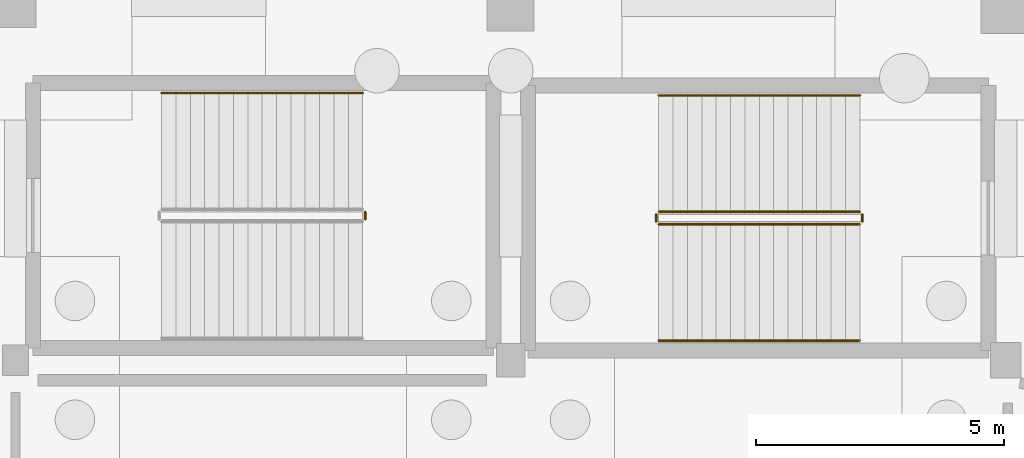
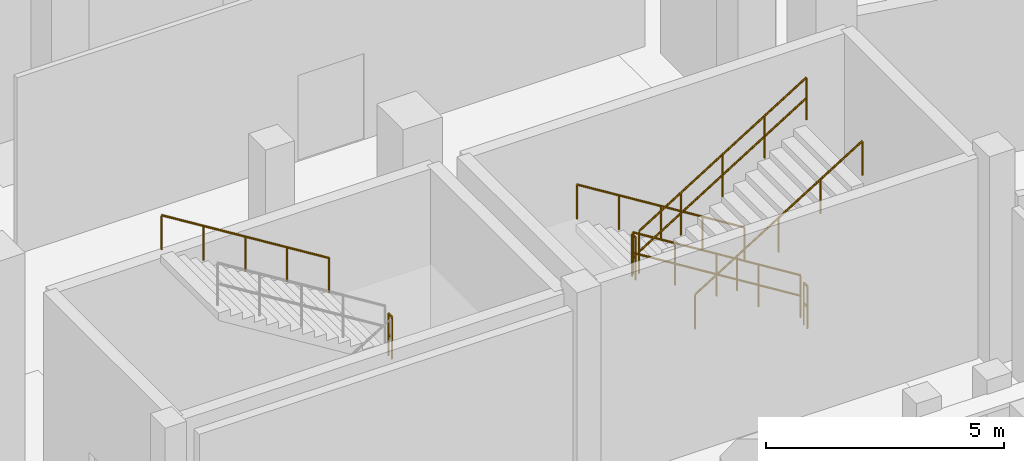
# One storey, part 67 of 68: 8 railings.
"""IFC4 building model written with IfcOpenShell, lengths in metres."""

from ifc_helpers import new_model, si_unit, direction, frame, origin, origin_2d, place, context, subcontext, project, spatial, circle, extrude, material, layer, layer_set, type_object, element, save


model = new_model("IFC4")

# Units and contexts
model_context = context("Model", 3, precision=1e-05, world=origin(), true_north=direction((0.0, 1.0)))
body_context = subcontext(model_context, "Body", "Model", "MODEL_VIEW")
ifc_project = project(units=[si_unit("LENGTHUNIT", "METRE"), si_unit("AREAUNIT", "SQUARE_METRE"), si_unit("VOLUMEUNIT", "CUBIC_METRE"), si_unit("PLANEANGLEUNIT", "RADIAN"), si_unit("MASSUNIT", "GRAM", prefix="KILO")], contexts=[model_context])

# Site, building, storey
site_placement = place(None, origin())
site = spatial("IfcSite", under=ifc_project, at=site_placement, CompositionType="ELEMENT")
building_placement = place(site_placement, origin())
building = spatial("IfcBuilding", under=site, at=building_placement, Name="Candeia Ridge Stadium", CompositionType="ELEMENT")
storey_placement = place(building_placement, origin())
storey = spatial("IfcBuildingStorey", under=building, at=storey_placement, Name="L00", CompositionType="ELEMENT", Elevation=0.0)

# Railings
ifc_material_1 = material(Name="Brushed Stainless Steel", Category="steel")
ifc_layer_1 = layer(ifc_material_1, 0.048095703125, Name="Brushed Stainless Steel", Category="steel")
ifc_layer_set_1 = layer_set([ifc_layer_1], Name="Brushed Stainless Steel")
railing_type_1 = type_object("IfcRailingType", Name="Stair Wall & Flight Handrail 900", PredefinedType="HANDRAIL", material=ifc_layer_set_1)
railing_1_placement = place(storey_placement, frame((138.050048828125, 145.14990234375, 0.179931640625)))
element("IfcRailing", 1, at=railing_1_placement, inside=storey, type_object=railing_type_1, Name="L00 ST04 stair handrail 1", PredefinedType="HANDRAIL", context=body_context, shape_type="SweptSolid", body=[
    extrude(circle(Radius=0.02392578125, at=origin_2d()), frame((0.0, 0.0, 0.8759765625), z_axis=(-0.849641744969, 0.0, 0.527360318194), x_axis=(0.0, -1.0, 0.0)), (0.0, 0.0, 1.0), 4.778564453125),
    extrude(circle(Radius=0.02099609375, at=origin_2d()), origin(), (0.0, 0.0, 1.0), 0.851806640625),
    extrude(circle(Radius=0.02099609375, at=origin_2d()), frame((-1.01513671875, 0.0, 0.6298828125)), (0.0, 0.0, 1.0), 0.851806640625),
    extrude(circle(Radius=0.02099609375, at=origin_2d()), frame((-2.030029296875, 0.0, 1.260009765625)), (0.0, 0.0, 1.0), 0.851806640625),
    extrude(circle(Radius=0.02099609375, at=origin_2d()), frame((-3.044921875, 0.0, 1.89013671875)), (0.0, 0.0, 1.0), 0.851806640625),
    extrude(circle(Radius=0.02099609375, at=origin_2d()), frame((-4.06005859375, 0.0, 2.52001953125)), (0.0, 0.0, 1.0), 0.851806640625),
])
railing_2_placement = place(storey_placement, frame((133.989990234375, 140.199951171875, 2.8798828125)))
element("IfcRailing", 2, at=railing_2_placement, inside=storey, type_object=railing_type_1, Name="L00 ST04 stair handrail 2", PredefinedType="HANDRAIL", context=body_context, shape_type="SweptSolid", body=[
    extrude(circle(Radius=0.02392578125, at=origin_2d()), frame((0.0, 0.0, 0.8759765625), z_axis=(0.849641744969, 0.0, 0.527360318194), x_axis=(0.0, 1.0, 0.0)), (0.0, 0.0, 1.0), 4.778564453125),
    extrude(circle(Radius=0.02099609375, at=origin_2d()), origin(), (0.0, 0.0, 1.0), 0.851806640625),
    extrude(circle(Radius=0.02099609375, at=origin_2d()), frame((1.01513671875, 0.0, 0.6298828125)), (0.0, 0.0, 1.0), 0.851806640625),
    extrude(circle(Radius=0.02099609375, at=origin_2d()), frame((2.030029296875, 0.0, 1.260009765625)), (0.0, 0.0, 1.0), 0.851806640625),
    extrude(circle(Radius=0.02099609375, at=origin_2d()), frame((3.044921875, 0.0, 1.89013671875)), (0.0, 0.0, 1.0), 0.851806640625),
    extrude(circle(Radius=0.02099609375, at=origin_2d()), frame((4.06005859375, 0.0, 2.52001953125)), (0.0, 0.0, 1.0), 0.851806640625),
])
railing_3_placement = place(storey_placement, frame((128.010009765625, 145.199951171875, 2.8798828125)))
element("IfcRailing", 3, at=railing_3_placement, inside=storey, type_object=railing_type_1, Name="L00 ST10 stair handrail 2", PredefinedType="HANDRAIL", context=body_context, shape_type="SweptSolid", body=[
    extrude(circle(Radius=0.02392578125, at=origin_2d()), frame((0.0, 0.0, 0.8759765625), z_axis=(-0.849641744969, 0.0, 0.527360318194), x_axis=(0.0, -1.0, 0.0)), (0.0, 0.0, 1.0), 4.778564453125),
    extrude(circle(Radius=0.02099609375, at=origin_2d()), origin(), (0.0, 0.0, 1.0), 0.851806640625),
    extrude(circle(Radius=0.02099609375, at=origin_2d()), frame((-1.01513671875, 0.0, 0.6298828125)), (0.0, 0.0, 1.0), 0.851806640625),
    extrude(circle(Radius=0.02099609375, at=origin_2d()), frame((-2.030029296875, 0.0, 1.260009765625)), (0.0, 0.0, 1.0), 0.851806640625),
    extrude(circle(Radius=0.02099609375, at=origin_2d()), frame((-3.044921875, 0.0, 1.89013671875)), (0.0, 0.0, 1.0), 0.851806640625),
    extrude(circle(Radius=0.02099609375, at=origin_2d()), frame((-4.06005859375, 0.0, 2.52001953125)), (0.0, 0.0, 1.0), 0.851806640625),
])
ifc_material_2 = material(Name="Galvanized Powder-Coated Steel", Category="steel")
ifc_layer_2 = layer(ifc_material_2, 0.06005859375, Name="Galvanized Powder-Coated Steel", Category="steel")
ifc_layer_set_2 = layer_set([ifc_layer_2], Name="Galvanized Powder-Coated Steel")
railing_type_2 = type_object("IfcRailingType", Name="Stair Well Guardrail 1100", PredefinedType="GUARDRAIL", material=ifc_layer_set_2)
railing_4_placement = place(storey_placement, frame((138.050048828125, 142.800048828125, 0.179931640625)))
element("IfcRailing", 4, at=railing_4_placement, inside=storey, type_object=railing_type_2, Name="L00 ST04 stair guard 1", PredefinedType="GUARDRAIL", context=body_context, shape_type="SweptSolid", body=[
    extrude(circle(Radius=0.02392578125, at=origin_2d()), frame((0.0, 0.0, 1.076171875), z_axis=(-0.849641744969, 0.0, 0.527360318194), x_axis=(0.0, -1.0, 0.0)), (0.0, 0.0, 1.0), 4.778564453125),
    extrude(circle(Radius=0.02392578125, at=origin_2d()), frame((0.0, 0.0, 0.550048828125), z_axis=(-0.849641744969, 0.0, 0.527360318194), x_axis=(0.0, -1.0, 0.0)), (0.0, 0.0, 1.0), 4.778564453125),
    extrude(circle(Radius=0.02099609375, at=origin_2d()), origin(), (0.0, 0.0, 1.0), 1.052001953125),
    extrude(circle(Radius=0.02099609375, at=origin_2d()), frame((-1.01513671875, 0.0, 0.6298828125)), (0.0, 0.0, 1.0), 1.052001953125),
    extrude(circle(Radius=0.02099609375, at=origin_2d()), frame((-2.030029296875, 0.0, 1.260009765625)), (0.0, 0.0, 1.0), 1.052001953125),
    extrude(circle(Radius=0.02099609375, at=origin_2d()), frame((-3.044921875, 0.0, 1.89013671875)), (0.0, 0.0, 1.0), 1.052001953125),
    extrude(circle(Radius=0.02099609375, at=origin_2d()), frame((-4.06005859375, 0.0, 2.52001953125)), (0.0, 0.0, 1.0), 1.052001953125),
])
railing_5_placement = place(storey_placement, frame((133.93994140625, 142.75, 2.699951171875)))
element("IfcRailing", 5, at=railing_5_placement, inside=storey, type_object=railing_type_2, Name="L00 ST04 stair guard 2", PredefinedType="GUARDRAIL", context=body_context, shape_type="SweptSolid", body=[
    extrude(circle(Radius=0.02392578125, at=origin_2d()), frame((0.0, 0.0, 1.076171875), z_axis=(0.0, -1.0, 0.0), x_axis=(1.0, 0.0, 0.0)), (0.0, 0.0, 1.0), 0.14990234375),
    extrude(circle(Radius=0.02392578125, at=origin_2d()), frame((0.0, 0.0, 0.550048828125), z_axis=(0.0, -1.0, 0.0), x_axis=(1.0, 0.0, 0.0)), (0.0, 0.0, 1.0), 0.14990234375),
    extrude(circle(Radius=0.02099609375, at=origin_2d()), origin(), (0.0, 0.0, 1.0), 1.052001953125),
    extrude(circle(Radius=0.02099609375, at=origin_2d()), frame((0.0, -0.14990234375, 0.0)), (0.0, 0.0, 1.0), 1.052001953125),
])
railing_6_placement = place(storey_placement, frame((133.989990234375, 142.550048828125, 2.8798828125)))
element("IfcRailing", 6, at=railing_6_placement, inside=storey, type_object=railing_type_2, Name="L00 ST04 stair guard 3", PredefinedType="GUARDRAIL", context=body_context, shape_type="SweptSolid", body=[
    extrude(circle(Radius=0.02392578125, at=origin_2d()), frame((0.0, 0.0, 1.076171875), z_axis=(0.849641744969, 0.0, 0.527360318194), x_axis=(0.0, 1.0, 0.0)), (0.0, 0.0, 1.0), 4.778564453125),
    extrude(circle(Radius=0.02392578125, at=origin_2d()), frame((0.0, 0.0, 0.550048828125), z_axis=(0.849641744969, 0.0, 0.527360318194), x_axis=(0.0, 1.0, 0.0)), (0.0, 0.0, 1.0), 4.778564453125),
    extrude(circle(Radius=0.02099609375, at=origin_2d()), origin(), (0.0, 0.0, 1.0), 1.052001953125),
    extrude(circle(Radius=0.02099609375, at=origin_2d()), frame((1.01513671875, 0.0, 0.6298828125)), (0.0, 0.0, 1.0), 1.052001953125),
    extrude(circle(Radius=0.02099609375, at=origin_2d()), frame((2.030029296875, 0.0, 1.260009765625)), (0.0, 0.0, 1.0), 1.052001953125),
    extrude(circle(Radius=0.02099609375, at=origin_2d()), frame((3.044921875, 0.0, 1.89013671875)), (0.0, 0.0, 1.0), 1.052001953125),
    extrude(circle(Radius=0.02099609375, at=origin_2d()), frame((4.06005859375, 0.0, 2.52001953125)), (0.0, 0.0, 1.0), 1.052001953125),
])
railing_7_placement = place(storey_placement, frame((138.10009765625, 142.75, 0.0)))
element("IfcRailing", 7, at=railing_7_placement, inside=storey, type_object=railing_type_2, Name="L00 ST04 stair guard 4", PredefinedType="GUARDRAIL", context=body_context, shape_type="SweptSolid", body=[
    extrude(circle(Radius=0.02392578125, at=origin_2d()), frame((0.0, 0.0, 1.076171875), z_axis=(0.0, -1.0, 0.0), x_axis=(1.0, 0.0, 0.0)), (0.0, 0.0, 1.0), 0.14990234375),
    extrude(circle(Radius=0.02392578125, at=origin_2d()), frame((0.0, 0.0, 0.550048828125), z_axis=(0.0, -1.0, 0.0), x_axis=(1.0, 0.0, 0.0)), (0.0, 0.0, 1.0), 0.14990234375),
    extrude(circle(Radius=0.02099609375, at=origin_2d()), origin(), (0.0, 0.0, 1.0), 1.052001953125),
    extrude(circle(Radius=0.02099609375, at=origin_2d()), frame((0.0, -0.14990234375, 0.0)), (0.0, 0.0, 1.0), 1.052001953125),
])
railing_8_placement = place(storey_placement, frame((128.06005859375, 142.64990234375, 2.699951171875)))
element("IfcRailing", 8, at=railing_8_placement, inside=storey, type_object=railing_type_2, Name="L00 ST10 stair guard 2", PredefinedType="GUARDRAIL", context=body_context, shape_type="SweptSolid", body=[
    extrude(circle(Radius=0.02392578125, at=origin_2d()), frame((0.0, 0.0, 1.076171875), z_axis=(0.0, 1.0, 0.0), x_axis=(-1.0, 0.0, 0.0)), (0.0, 0.0, 1.0), 0.150146484375),
    extrude(circle(Radius=0.02392578125, at=origin_2d()), frame((0.0, 0.0, 0.550048828125), z_axis=(0.0, 1.0, 0.0), x_axis=(-1.0, 0.0, 0.0)), (0.0, 0.0, 1.0), 0.150146484375),
    extrude(circle(Radius=0.02099609375, at=origin_2d()), origin(), (0.0, 0.0, 1.0), 1.052001953125),
    extrude(circle(Radius=0.02099609375, at=origin_2d()), frame((0.0, 0.150146484375, 0.0)), (0.0, 0.0, 1.0), 1.052001953125),
])

save(model, "model.ifc")
